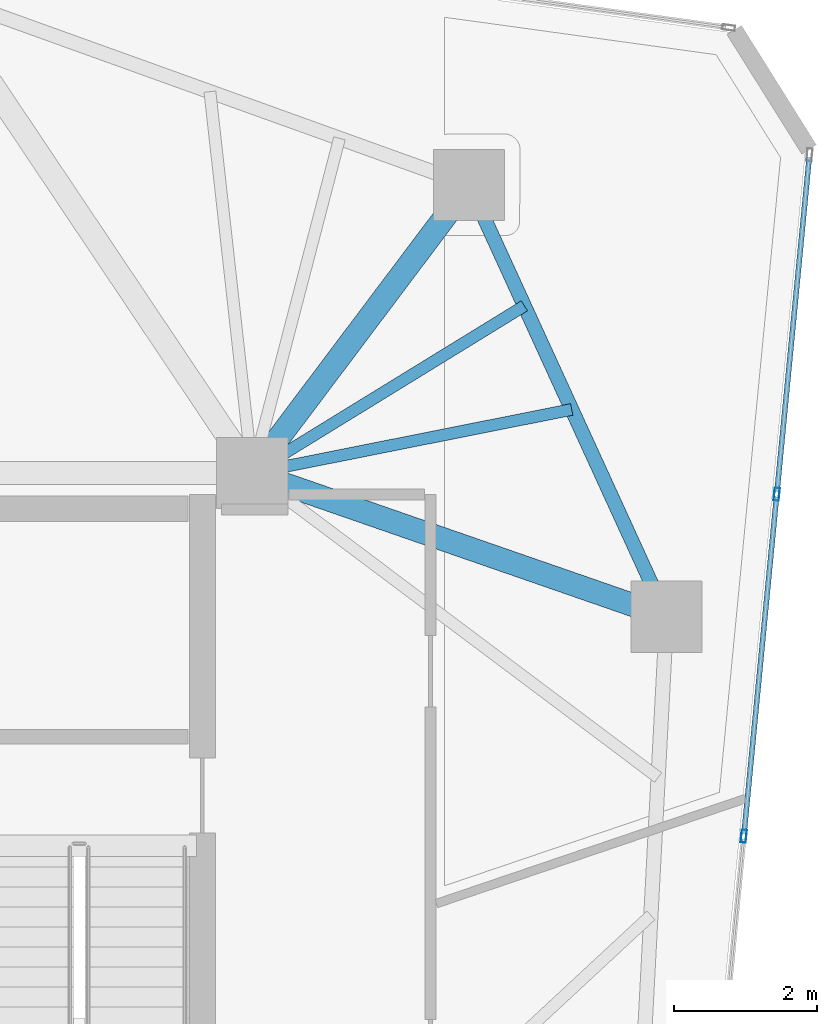
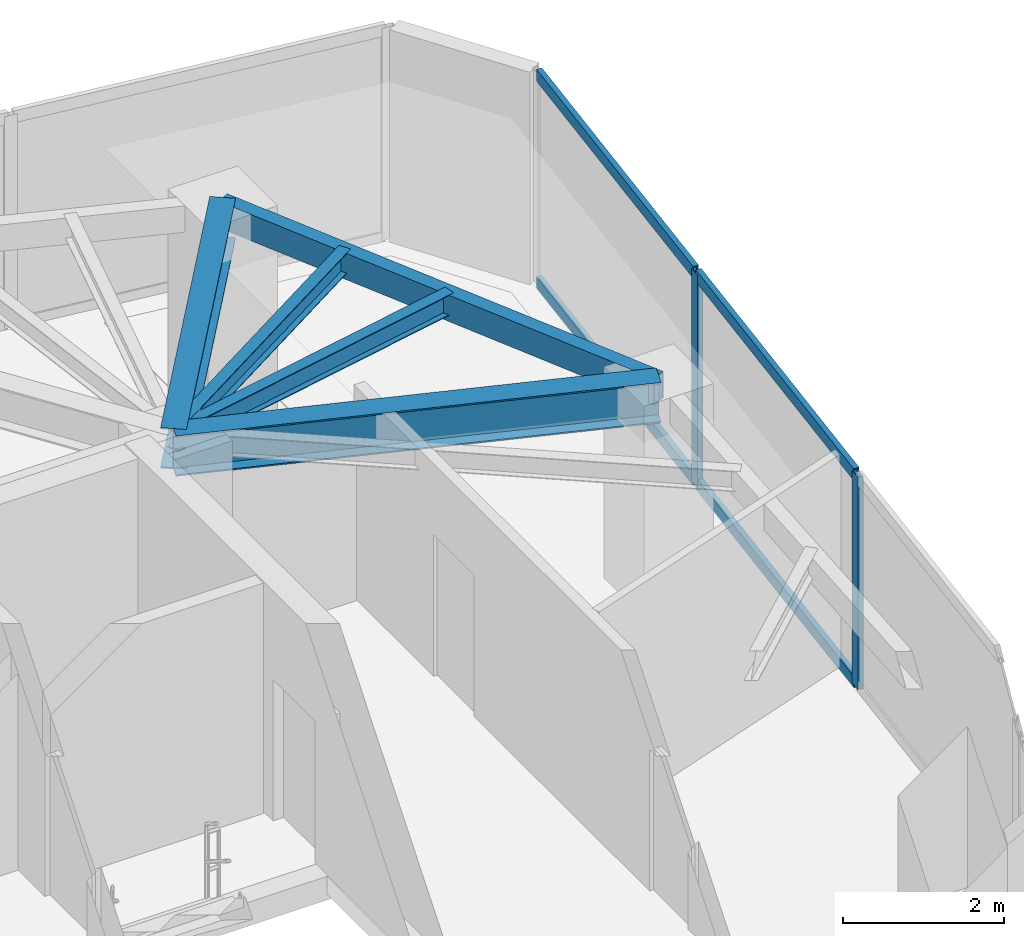
# One storey, part 12 of 20: 6 members, 5 beams, 1 element without a shape of its own.
"""IFC4 building model written with IfcOpenShell, lengths in metres."""

from ifc_helpers import new_model, si_unit, direction, frame, origin, origin_2d, place, context, subcontext, project, spatial, hollow_rectangle, i_section, extrude, source, transform, mapped, material, layer, layer_set, material_profile, profile_set, type_object, type_shapes, element, aggregate, save


model = new_model("IFC4")

# Units and contexts
model_context = context("Model", 3, precision=1e-05, world=origin(), true_north=direction((0.0, 1.0)))
body_context = subcontext(model_context, "Body", "Model", "MODEL_VIEW")
ifc_project = project(units=[si_unit("LENGTHUNIT", "METRE"), si_unit("AREAUNIT", "SQUARE_METRE"), si_unit("VOLUMEUNIT", "CUBIC_METRE"), si_unit("PLANEANGLEUNIT", "RADIAN"), si_unit("MASSUNIT", "GRAM", prefix="KILO")], contexts=[model_context])

# Site, building, storey
site_placement = place(None, origin())
site = spatial("IfcSite", under=ifc_project, at=site_placement, CompositionType="ELEMENT")
building_placement = place(site_placement, origin())
building = spatial("IfcBuilding", under=site, at=building_placement, Name="Talar Marvaseh", CompositionType="ELEMENT")
storey_placement = place(building_placement, frame((0.0, 0.0, 211.699951171875)))
storey = spatial("IfcBuildingStorey", under=building, at=storey_placement, Name="L55", CompositionType="ELEMENT", Elevation=211.699951171875)

# Beams
ifc_material_1 = material(Name="Steel S355", Category="steel")
ifc_material_profile_1 = material_profile(ifc_material_1, hollow_rectangle(XDim=0.199951171875, YDim=0.39990234375, WallThickness=0.013916015625, at=origin_2d()), Name="RHS400x200x14")
ifc_profile_set_1 = profile_set([ifc_material_profile_1], Name="Steel S355")
beam_type_1 = type_object("IfcBeamType", Name="Zone 3 Perimeter Spandrel Beam RHS400x200x14", PredefinedType="SPANDREL", material=ifc_profile_set_1)
beam_1_placement = place(storey_placement, frame((36.341064453125, 40.94189453125, 3.030029296875), z_axis=(0.416090570719, -0.909323175202, 0.0), x_axis=(0.909323175202, 0.416090570719, 0.0)))
element("IfcBeam", 1, at=beam_1_placement, inside=storey, type_object=beam_type_1, Name="L55 Zone 3 Perimeter Spandrel Beam RHS400x200x14", PredefinedType="SPANDREL", context=body_context, shape_type="SweptSolid", body=[
    extrude(hollow_rectangle(XDim=0.199951171875, YDim=0.39990234375, WallThickness=0.013916015625, at=origin_2d()), origin(), (0.0, 0.0, 1.0), 6.661865234375),
])
ifc_material_profile_2 = material_profile(ifc_material_1, i_section(OverallWidth=0.324951171875, OverallDepth=0.615966796875, WebThickness=0.013916015625, FlangeThickness=0.021484375, at=origin_2d()), Name="W610x174")
ifc_profile_set_2 = profile_set([ifc_material_profile_2], Name="Steel S355")
beam_type_2 = type_object("IfcBeamType", Name="Zone 3 Radial Floor Girder W610x174", PredefinedType="BEAM", material=ifc_profile_set_2)
beam_2_placement = place(storey_placement, frame((36.341064453125, 40.94189453125, 2.922119140625), z_axis=(-0.601204044541, -0.799095549247, 0.0), x_axis=(0.799095549247, -0.601204044541, 0.0)))
element("IfcBeam", 2, at=beam_2_placement, inside=storey, type_object=beam_type_2, Name="L55 Zone 3 Radial Floor Girder W610x174", PredefinedType="BEAM", context=body_context, shape_type="SweptSolid", body=[
    extrude(i_section(OverallWidth=0.324951171875, OverallDepth=0.615966796875, WebThickness=0.013916015625, FlangeThickness=0.021484375, at=origin_2d()), origin(), (0.0, 0.0, 1.0), 5.05810546875),
])
beam_3_placement = place(storey_placement, frame((39.113037109375, 34.884033203125, 2.922119140625), z_axis=(-0.94480098975, 0.327644761544, 0.0), x_axis=(-0.327644761544, -0.94480098975, 0.0)))
element("IfcBeam", 3, at=beam_3_placement, inside=storey, type_object=beam_type_2, Name="L55 Zone 3 Radial Floor Girder W610x174", PredefinedType="BEAM", context=body_context, shape_type="SweptSolid", body=[
    extrude(i_section(OverallWidth=0.324951171875, OverallDepth=0.615966796875, WebThickness=0.013916015625, FlangeThickness=0.021484375, at=origin_2d()), origin(), (0.0, 0.0, 1.0), 6.152587890625),
])
ifc_material_profile_3 = material_profile(ifc_material_1, i_section(OverallWidth=0.166015625, OverallDepth=0.31298828125, WebThickness=0.006591796875, FlangeThickness=0.01123046875, at=origin_2d()), Name="W310x45")
ifc_profile_set_3 = profile_set([ifc_material_profile_3], Name="Steel S355")
beam_type_3 = type_object("IfcBeamType", Name="Zone 3 Secondary Floor Joist W310x45", PredefinedType="JOIST", material=ifc_profile_set_3)
beam_4_placement = place(storey_placement, frame((37.1171875, 39.245849609375, 3.073486328125), z_axis=(-0.851963133725, -0.52360177499, 0.0), x_axis=(0.52360177499, -0.851963133725, 0.0)))
element("IfcBeam", 4, at=beam_4_placement, inside=storey, type_object=beam_type_3, Name="L55 Zone 3 Secondary Floor Joist W310x45", PredefinedType="JOIST", context=body_context, shape_type="SweptSolid", body=[
    extrude(i_section(OverallWidth=0.166015625, OverallDepth=0.31298828125, WebThickness=0.006591796875, FlangeThickness=0.01123046875, at=origin_2d()), origin(), (0.0, 0.0, 1.0), 4.48046875),
])
beam_5_placement = place(storey_placement, frame((37.782470703125, 37.791748046875, 3.073486328125), z_axis=(-0.980775375356, -0.195140111447, 0.0), x_axis=(0.195140111447, -0.980775375356, 0.0)))
element("IfcBeam", 5, at=beam_5_placement, inside=storey, type_object=beam_type_3, Name="L55 Zone 3 Secondary Floor Joist W310x45", PredefinedType="JOIST", context=body_context, shape_type="SweptSolid", body=[
    extrude(i_section(OverallWidth=0.166015625, OverallDepth=0.31298828125, WebThickness=0.006591796875, FlangeThickness=0.01123046875, at=origin_2d()), origin(), (0.0, 0.0, 1.0), 4.5703125),
])

# Curtain wall, members
ifc_material_2 = material(Name="Architectural Aluminium", Category="aluminium")
ifc_layer = layer(ifc_material_2, 0.18994140625)
ifc_layer_set = layer_set([ifc_layer], Name="Architectural Aluminium")
curtain_wall_type = type_object("IfcCurtainWallType", Name="Unitised Solar Atelier Curtain Wall Z3", PredefinedType="NOTDEFINED", material=ifc_layer_set)
curtain_wall_placement = place(storey_placement, origin())
curtain_wall = element("IfcCurtainWall", 6, at=curtain_wall_placement, inside=storey, type_object=curtain_wall_type, Name="L55 Unitised Solar Atelier Curtain Wall Z3", PredefinedType="NOTDEFINED")
ifc_material_profile_4 = material_profile(ifc_material_2, hollow_rectangle(XDim=0.074951171875, YDim=0.179931640625, WallThickness=0.0048828125, at=origin_2d()), Name="RHS180x75x5")
ifc_profile_set_4 = profile_set([ifc_material_profile_4], Name="Architectural Aluminium")
member_type_1 = type_object("IfcMemberType", Name="Unitised Curtain Wall Standard Mullion RHS180x75x5", PredefinedType="MULLION", material=ifc_profile_set_4)
shared_shape_1 = source(origin(), body_context, "Body", "SweptSolid", [
    extrude(hollow_rectangle(XDim=0.074951171875, YDim=0.179931640625, WallThickness=0.0048828125, at=origin_2d()), origin(), (0.0, 0.0, 1.0), 3.22998046875),
])
type_shapes(member_type_1, [shared_shape_1])
member_1_placement = place(storey_placement, frame((40.65869140625, 36.603515625, 0.0), z_axis=(0.0, 0.0, 1.0), x_axis=(0.995381660069, -0.095996618681, 0.0)))
member_1 = element("IfcMember", 7, at=member_1_placement, type_object=member_type_1, Name="CW-Z3 mullion 2", PredefinedType="MULLION", context=body_context, shape_type="MappedRepresentation", body=[
    mapped(shared_shape_1, transform((0.0, 0.0, 0.0), x_axis=(1.0, 0.0, 0.0), y_axis=(0.0, 1.0, 0.0), z_axis=(0.0, 0.0, 1.0), scale=1.0)),
])
member_2_placement = place(storey_placement, frame((40.19580078125, 31.8037109375, 0.0), z_axis=(0.0, 0.0, 1.0), x_axis=(0.995381660069, -0.095996618681, 0.0)))
member_2 = element("IfcMember", 8, at=member_2_placement, type_object=member_type_1, Name="CW-Z3 mullion 3", PredefinedType="MULLION", context=body_context, shape_type="MappedRepresentation", body=[
    mapped(shared_shape_1, transform((0.0, 0.0, 0.0), x_axis=(1.0, 0.0, 0.0), y_axis=(0.0, 1.0, 0.0), z_axis=(0.0, 0.0, 1.0), scale=1.0)),
])
ifc_material_profile_5 = material_profile(ifc_material_2, hollow_rectangle(XDim=0.074951171875, YDim=0.179931640625, WallThickness=0.0048828125, at=origin_2d()), Name="RHS180x75x5")
ifc_profile_set_5 = profile_set([ifc_material_profile_5], Name="Architectural Aluminium")
member_type_2 = type_object("IfcMemberType", Name="Unitised Curtain Wall Transom RHS180x75x5", PredefinedType="USERDEFINED", material=ifc_profile_set_5)
shared_shape_2 = source(origin(), body_context, "Body", "SweptSolid", [
    extrude(hollow_rectangle(XDim=0.074951171875, YDim=0.179931640625, WallThickness=0.0048828125, at=origin_2d()), origin(), (0.0, 0.0, 1.0), 4.70947265625),
])
member_3_placement = place(storey_placement, frame((41.114501953125, 41.32861328125, 0.03759765625), z_axis=(-0.096007751982, -0.995380586288, 0.0), x_axis=(0.995380586288, -0.096007751982, 0.0)))
member_3 = element("IfcMember", 9, at=member_3_placement, type_object=member_type_2, Name="CW-Z3 transom 1.1", ObjectType="TRANSOM", PredefinedType="USERDEFINED", context=body_context, shape_type="MappedRepresentation", body=[
    mapped(shared_shape_2, transform((0.0, 0.0, 0.0), x_axis=(1.0, 0.0, 0.0), y_axis=(0.0, 1.0, 0.0), z_axis=(0.0, 0.0, 1.0), scale=1.0)),
])
member_4_placement = place(storey_placement, frame((41.114501953125, 41.32861328125, 3.192626953125), z_axis=(-0.096007751982, -0.995380586288, 0.0), x_axis=(0.995380586288, -0.096007751982, 0.0)))
member_4 = element("IfcMember", 10, at=member_4_placement, type_object=member_type_2, Name="CW-Z3 transom 1.2", ObjectType="TRANSOM", PredefinedType="USERDEFINED", context=body_context, shape_type="MappedRepresentation", body=[
    mapped(shared_shape_2, transform((0.0, 0.0, 0.0), x_axis=(1.0, 0.0, 0.0), y_axis=(0.0, 1.0, 0.0), z_axis=(0.0, 0.0, 1.0), scale=1.0)),
])
shared_shape_3 = source(origin(), body_context, "Body", "SweptSolid", [
    extrude(hollow_rectangle(XDim=0.074951171875, YDim=0.179931640625, WallThickness=0.0048828125, at=origin_2d()), origin(), (0.0, 0.0, 1.0), 4.7470703125),
])
type_shapes(member_type_2, [shared_shape_2, shared_shape_3])
member_5_placement = place(storey_placement, frame((40.6552734375, 36.566162109375, 0.03759765625), z_axis=(-0.096020116148, -0.995379393646, 0.0), x_axis=(0.995379393646, -0.096020116148, 0.0)))
member_5 = element("IfcMember", 11, at=member_5_placement, type_object=member_type_2, Name="CW-Z3 transom 2.1", ObjectType="TRANSOM", PredefinedType="USERDEFINED", context=body_context, shape_type="MappedRepresentation", body=[
    mapped(shared_shape_3, transform((0.0, 0.0, 0.0), x_axis=(1.0, 0.0, 0.0), y_axis=(0.0, 1.0, 0.0), z_axis=(0.0, 0.0, 1.0), scale=1.0)),
])
member_6_placement = place(storey_placement, frame((40.6552734375, 36.566162109375, 3.192626953125), z_axis=(-0.096020116148, -0.995379393646, 0.0), x_axis=(0.995379393646, -0.096020116148, 0.0)))
member_6 = element("IfcMember", 12, at=member_6_placement, type_object=member_type_2, Name="CW-Z3 transom 2.2", ObjectType="TRANSOM", PredefinedType="USERDEFINED", context=body_context, shape_type="MappedRepresentation", body=[
    mapped(shared_shape_3, transform((0.0, 0.0, 0.0), x_axis=(1.0, 0.0, 0.0), y_axis=(0.0, 1.0, 0.0), z_axis=(0.0, 0.0, 1.0), scale=1.0)),
])
aggregate(curtain_wall, [member_1, member_2, member_3, member_4, member_5, member_6])

save(model, "model.ifc")
